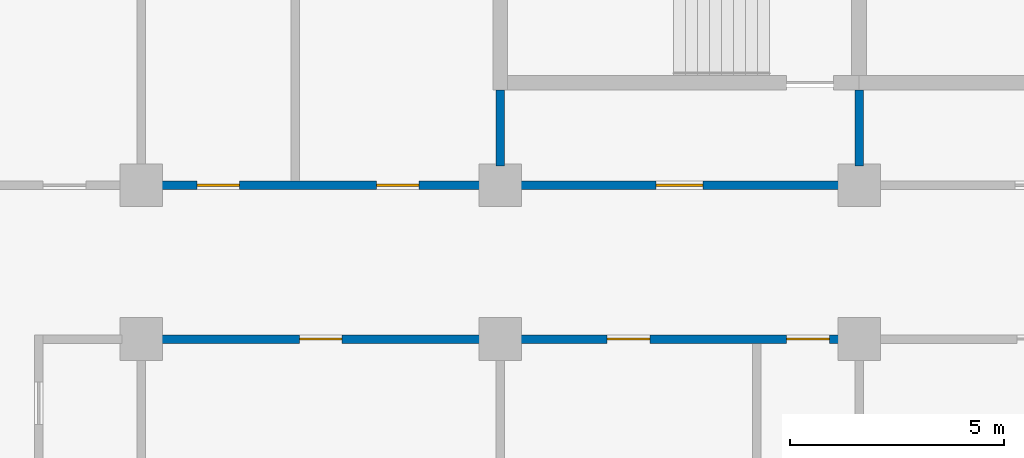
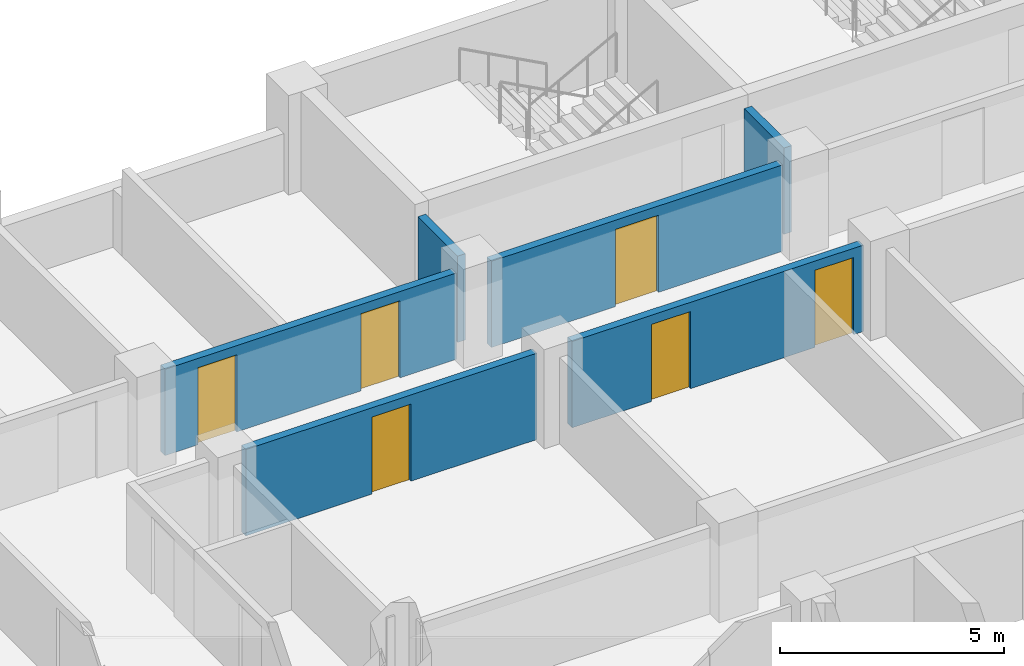
# One storey, part 51 of 89: 6 doors, 6 walls, 6 openings.
"""IFC4 building model written with IfcOpenShell, lengths in metres."""

from ifc_helpers import new_model, si_unit, direction, frame, frame_2d, origin, place, context, subcontext, project, spatial, rectangle, extrude, material, layer, layer_set, type_object, element, fill, save


model = new_model("IFC4")

# Units and contexts
model_context = context("Model", 3, precision=1e-05, world=origin(), true_north=direction((0.0, 1.0)))
body_context = subcontext(model_context, "Body", "Model", "MODEL_VIEW")
ifc_project = project(units=[si_unit("LENGTHUNIT", "METRE"), si_unit("AREAUNIT", "SQUARE_METRE"), si_unit("VOLUMEUNIT", "CUBIC_METRE"), si_unit("PLANEANGLEUNIT", "RADIAN"), si_unit("MASSUNIT", "GRAM", prefix="KILO")], contexts=[model_context])

# Site, building, storey
site_placement = place(None, origin())
site = spatial("IfcSite", under=ifc_project, at=site_placement, CompositionType="ELEMENT")
building_placement = place(site_placement, origin())
building = spatial("IfcBuilding", under=site, at=building_placement, Name="Bougainvillea Quay General Hospital", CompositionType="ELEMENT")
storey_placement = place(building_placement, frame((0.0, 0.0, 9.89990234375)))
storey = spatial("IfcBuildingStorey", under=building, at=storey_placement, Name="L01M", CompositionType="ELEMENT", Elevation=9.89990234375)

# Wall, opening, door
ifc_material_1 = material(Name="Fire-rated autoclaved aerated block wall, plastered")
ifc_layer = layer(ifc_material_1, 0.199951171875)
ifc_layer_set = layer_set([ifc_layer], Name="Fire-rated autoclaved aerated block wall, plastered")
wall_type = type_object("IfcWallType", Name="Partition 200 Fire-rated autoclaved aerated block wall EI 120", PredefinedType="SOLIDWALL", material=ifc_layer_set)
wall_1_placement = place(storey_placement, frame((142.35009765625, 151.800048828125, 0.0), z_axis=(0.0, 0.0, 1.0), x_axis=(-1.0, 0.0, 0.0)))
wall_1 = element("IfcWall", 1, at=wall_1_placement, inside=storey, type_object=wall_type, Name="Partition 200 mm EI 120", PredefinedType="SOLIDWALL", context=body_context, shape_type="SweptSolid", body=[
    extrude(rectangle(XDim=7.5, YDim=0.199951171875, at=frame_2d((3.75, 0.0))), origin(), (0.0, 0.0, 1.0), 2.35009765625),
])
opening_1_placement = place(wall_1_placement, frame((3.199951171875, 0.0, 0.0)))
opening_1 = element("IfcOpeningElement", 2, at=opening_1_placement, cuts=wall_1, Name="Opening L01M.033", PredefinedType="OPENING", context=body_context, shape_type="SweptSolid", body=[
    extrude(rectangle(XDim=1.10009765625, YDim=2.10009765625, at=frame_2d((0.550048828125, 1.050048828125))), frame((0.0, 0.10986328125, 0.0), z_axis=(0.0, -1.0, 0.0), x_axis=(1.0, 0.0, 0.0)), (0.0, 0.0, 1.0), 0.219970703125),
])
ifc_material_2 = material(Name="Steel fire door leaf in steel frame", Category="steel")
door_type_1 = type_object("IfcDoorType", Name="Steel single leaf door 1100x2100 FD60", OperationType="NOTDEFINED", PredefinedType="DOOR", material=ifc_material_2)
door_1_placement = place(opening_1_placement, frame((1.10009765625, 0.0, 0.0), z_axis=(0.0, 0.0, 1.0), x_axis=(-1.0, 0.0, 0.0)))
door_1 = element("IfcDoor", 3, at=door_1_placement, inside=storey, type_object=door_type_1, Name="DT04 L01M.033", OperationType="SINGLE_SWING_LEFT", OverallHeight=2.10009765625, OverallWidth=1.10009765625, PredefinedType="DOOR", context=body_context, shape_type="SweptSolid", body=[
    extrude(rectangle(XDim=1.10009765625, YDim=2.10009765625, at=frame_2d((0.550048828125, 1.050048828125))), frame((0.0, 0.02490234375, 0.0), z_axis=(0.0, -1.0, 0.0), x_axis=(1.0, 0.0, 0.0)), (0.0, 0.0, 1.0), 0.050048828125),
])
fill(opening_1, door_1)

# Wall, openings, doors
wall_2_placement = place(storey_placement, frame((133.949951171875, 151.800048828125, 0.0), z_axis=(0.0, 0.0, 1.0), x_axis=(-1.0, 0.0, 0.0)))
wall_2 = element("IfcWall", 4, at=wall_2_placement, inside=storey, type_object=wall_type, Name="Partition 200 mm EI 120", PredefinedType="SOLIDWALL", context=body_context, shape_type="SweptSolid", body=[
    extrude(rectangle(XDim=7.5, YDim=0.199951171875, at=frame_2d((3.75, 0.0))), origin(), (0.0, 0.0, 1.0), 2.35009765625),
])
opening_2_placement = place(wall_2_placement, frame((5.64990234375, 0.0, 0.0)))
opening_2 = element("IfcOpeningElement", 5, at=opening_2_placement, cuts=wall_2, Name="Opening L01M.153", PredefinedType="OPENING", context=body_context, shape_type="SweptSolid", body=[
    extrude(rectangle(XDim=1.0, YDim=2.10009765625, at=frame_2d((0.5, 1.050048828125))), frame((0.0, 0.10986328125, 0.0), z_axis=(0.0, -1.0, 0.0), x_axis=(1.0, 0.0, 0.0)), (0.0, 0.0, 1.0), 0.219970703125),
])
opening_3_placement = place(wall_2_placement, frame((1.449951171875, 0.0, 0.0)))
opening_3 = element("IfcOpeningElement", 6, at=opening_3_placement, cuts=wall_2, Name="Opening L01M.154", PredefinedType="OPENING", context=body_context, shape_type="SweptSolid", body=[
    extrude(rectangle(XDim=1.0, YDim=2.10009765625, at=frame_2d((0.5, 1.050048828125))), frame((0.0, 0.10986328125, 0.0), z_axis=(0.0, -1.0, 0.0), x_axis=(1.0, 0.0, 0.0)), (0.0, 0.0, 1.0), 0.219970703125),
])
door_type_2 = type_object("IfcDoorType", Name="Steel single leaf door 1000x2100 FD90", OperationType="NOTDEFINED", PredefinedType="DOOR", material=ifc_material_2)
door_2_placement = place(opening_2_placement, frame((1.0, 0.0, 0.0), z_axis=(0.0, 0.0, 1.0), x_axis=(-1.0, 0.0, 0.0)))
door_2 = element("IfcDoor", 7, at=door_2_placement, inside=storey, type_object=door_type_2, Name="DT11 L01M.153", OperationType="SINGLE_SWING_LEFT", OverallHeight=2.10009765625, OverallWidth=1.0, PredefinedType="DOOR", context=body_context, shape_type="SweptSolid", body=[
    extrude(rectangle(XDim=1.0, YDim=2.10009765625, at=frame_2d((0.5, 1.050048828125))), frame((0.0, 0.02490234375, 0.0), z_axis=(0.0, -1.0, 0.0), x_axis=(1.0, 0.0, 0.0)), (0.0, 0.0, 1.0), 0.050048828125),
])
fill(opening_2, door_2)
door_3_placement = place(opening_3_placement, frame((1.0, 0.0, 0.0), z_axis=(0.0, 0.0, 1.0), x_axis=(-1.0, 0.0, 0.0)))
door_3 = element("IfcDoor", 8, at=door_3_placement, inside=storey, type_object=door_type_2, Name="DT11 L01M.154", OperationType="SINGLE_SWING_RIGHT", OverallHeight=2.10009765625, OverallWidth=1.0, PredefinedType="DOOR", context=body_context, shape_type="SweptSolid", body=[
    extrude(rectangle(XDim=1.0, YDim=2.10009765625, at=frame_2d((0.5, 1.050048828125))), frame((0.0, 0.02490234375, 0.0), z_axis=(0.0, -1.0, 0.0), x_axis=(1.0, 0.0, 0.0)), (0.0, 0.0, 1.0), 0.050048828125),
])
fill(opening_3, door_3)

wall_3_placement = place(storey_placement, frame((142.35009765625, 148.199951171875, 0.0), z_axis=(0.0, 0.0, 1.0), x_axis=(-1.0, 0.0, 0.0)))
wall_3 = element("IfcWall", 9, at=wall_3_placement, inside=storey, type_object=wall_type, Name="Partition 200 mm EI 120", PredefinedType="SOLIDWALL", context=body_context, shape_type="SweptSolid", body=[
    extrude(rectangle(XDim=7.5, YDim=0.199951171875, at=frame_2d((3.75, 0.0))), origin(), (0.0, 0.0, 1.0), 2.35009765625),
])
opening_4_placement = place(wall_3_placement, frame((4.449951171875, 0.0, 0.0)))
opening_4 = element("IfcOpeningElement", 10, at=opening_4_placement, cuts=wall_3, Name="Opening L01M.150", PredefinedType="OPENING", context=body_context, shape_type="SweptSolid", body=[
    extrude(rectangle(XDim=1.0, YDim=2.10009765625, at=frame_2d((0.5, 1.050048828125))), frame((0.0, 0.10986328125, 0.0), z_axis=(0.0, -1.0, 0.0), x_axis=(1.0, 0.0, 0.0)), (0.0, 0.0, 1.0), 0.219970703125),
])
opening_5_placement = place(wall_3_placement, frame((0.25, 0.0, 0.0)))
opening_5 = element("IfcOpeningElement", 11, at=opening_5_placement, cuts=wall_3, Name="Opening L01M.151", PredefinedType="OPENING", context=body_context, shape_type="SweptSolid", body=[
    extrude(rectangle(XDim=1.0, YDim=2.10009765625, at=frame_2d((0.5, 1.050048828125))), frame((0.0, 0.10986328125, 0.0), z_axis=(0.0, -1.0, 0.0), x_axis=(1.0, 0.0, 0.0)), (0.0, 0.0, 1.0), 0.219970703125),
])
door_4_placement = place(opening_4_placement, origin())
door_4 = element("IfcDoor", 12, at=door_4_placement, inside=storey, type_object=door_type_2, Name="DT11 L01M.150", OperationType="SINGLE_SWING_RIGHT", OverallHeight=2.10009765625, OverallWidth=1.0, PredefinedType="DOOR", context=body_context, shape_type="SweptSolid", body=[
    extrude(rectangle(XDim=1.0, YDim=2.10009765625, at=frame_2d((0.5, 1.050048828125))), frame((0.0, 0.02490234375, 0.0), z_axis=(0.0, -1.0, 0.0), x_axis=(1.0, 0.0, 0.0)), (0.0, 0.0, 1.0), 0.050048828125),
])
fill(opening_4, door_4)
door_5_placement = place(opening_5_placement, origin())
door_5 = element("IfcDoor", 13, at=door_5_placement, inside=storey, type_object=door_type_2, Name="DT11 L01M.151", OperationType="SINGLE_SWING_LEFT", OverallHeight=2.10009765625, OverallWidth=1.0, PredefinedType="DOOR", context=body_context, shape_type="SweptSolid", body=[
    extrude(rectangle(XDim=1.0, YDim=2.10009765625, at=frame_2d((0.5, 1.050048828125))), frame((0.0, 0.02490234375, 0.0), z_axis=(0.0, -1.0, 0.0), x_axis=(1.0, 0.0, 0.0)), (0.0, 0.0, 1.0), 0.050048828125),
])
fill(opening_5, door_5)

# Wall, opening, door
wall_4_placement = place(storey_placement, frame((133.949951171875, 148.199951171875, 0.0), z_axis=(0.0, 0.0, 1.0), x_axis=(-1.0, 0.0, 0.0)))
wall_4 = element("IfcWall", 14, at=wall_4_placement, inside=storey, type_object=wall_type, Name="Partition 200 mm EI 120", PredefinedType="SOLIDWALL", context=body_context, shape_type="SweptSolid", body=[
    extrude(rectangle(XDim=7.5, YDim=0.199951171875, at=frame_2d((3.75, 0.0))), origin(), (0.0, 0.0, 1.0), 2.35009765625),
])
opening_6_placement = place(wall_4_placement, frame((3.25, 0.0, 0.0)))
opening_6 = element("IfcOpeningElement", 15, at=opening_6_placement, cuts=wall_4, Name="Opening L01M.149", PredefinedType="OPENING", context=body_context, shape_type="SweptSolid", body=[
    extrude(rectangle(XDim=1.0, YDim=2.10009765625, at=frame_2d((0.5, 1.050048828125))), frame((0.0, 0.10986328125, 0.0), z_axis=(0.0, -1.0, 0.0), x_axis=(1.0, 0.0, 0.0)), (0.0, 0.0, 1.0), 0.219970703125),
])
door_6_placement = place(opening_6_placement, origin())
door_6 = element("IfcDoor", 16, at=door_6_placement, inside=storey, type_object=door_type_2, Name="DT11 L01M.149", OperationType="SINGLE_SWING_RIGHT", OverallHeight=2.10009765625, OverallWidth=1.0, PredefinedType="DOOR", context=body_context, shape_type="SweptSolid", body=[
    extrude(rectangle(XDim=1.0, YDim=2.10009765625, at=frame_2d((0.5, 1.050048828125))), frame((0.0, 0.02490234375, 0.0), z_axis=(0.0, -1.0, 0.0), x_axis=(1.0, 0.0, 0.0)), (0.0, 0.0, 1.0), 0.050048828125),
])
fill(opening_6, door_6)

# Walls
for number, where, z_axis, x_axis, name in (
    (17, (134.39990234375, 152.25, 0.0), (0.0, 0.0, 1.0), (0.0, 1.0, 0.0), "Partition 200 mm EI 120"),
    (18, (142.800048828125, 152.25, 0.0), (0.0, 0.0, 1.0), (0.0, 1.0, 0.0), "Partition 200 mm EI 120"),
):
    element("IfcWall", number, at=place(storey_placement, frame(where, z_axis=z_axis, x_axis=x_axis)), inside=storey, type_object=wall_type, Name=name, PredefinedType="SOLIDWALL", context=body_context, shape_type="SweptSolid", body=[
        extrude(rectangle(XDim=1.77490234375, YDim=0.199951171875, at=frame_2d((0.887451171875, 0.0))), origin(), (0.0, 0.0, 1.0), 2.35009765625),
    ])

save(model, "model.ifc")
